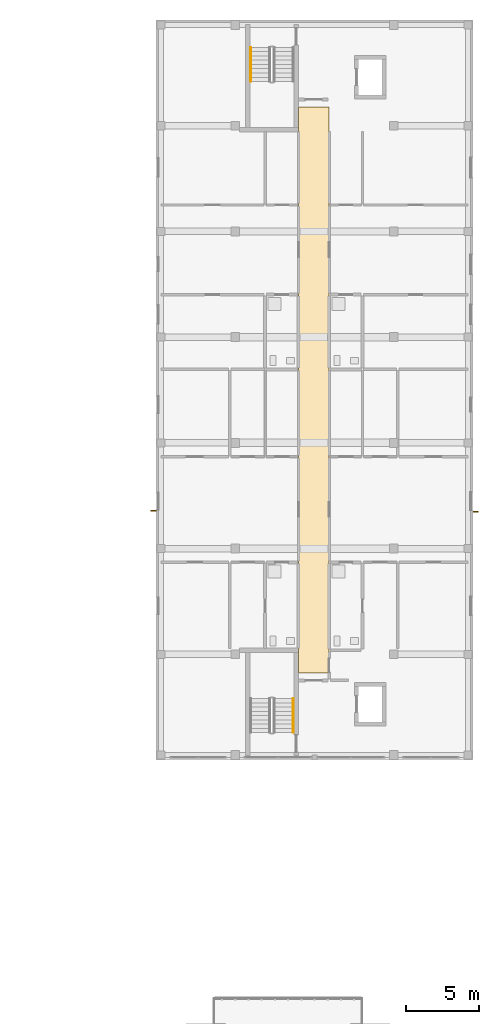
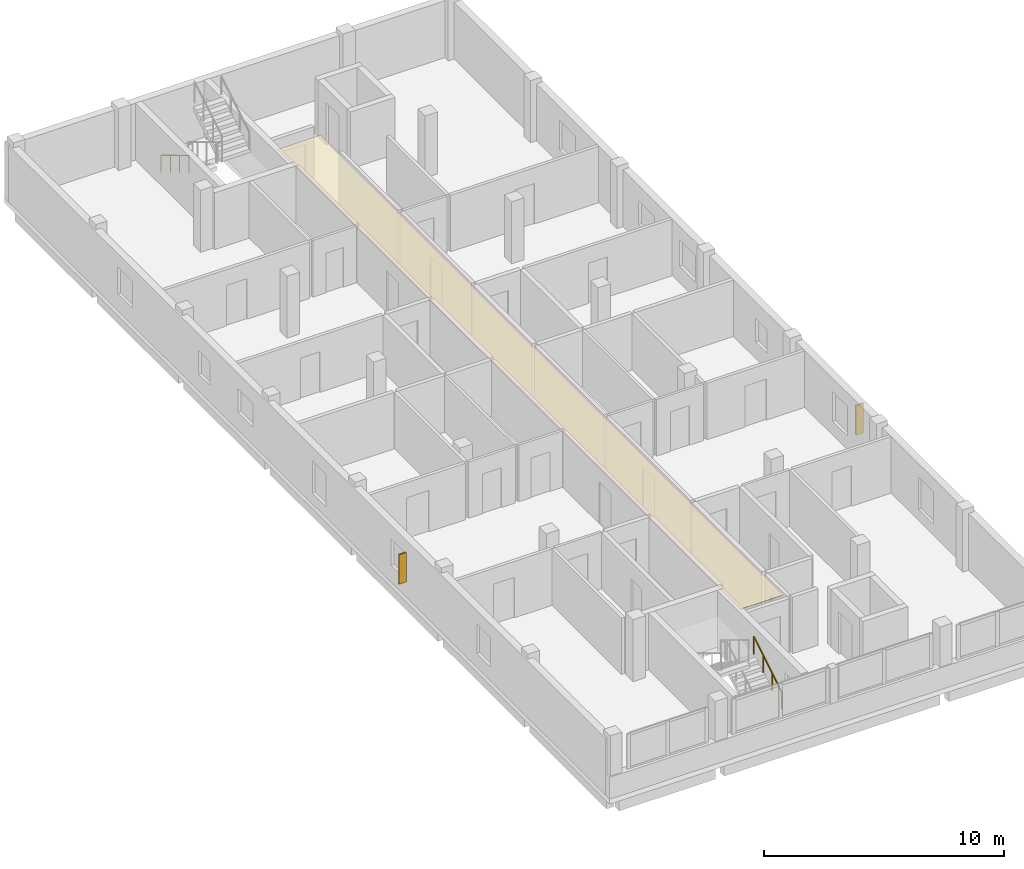
# One storey, part 31 of 34: 2 railings, 2 shading devices, 1 covering.
"""IFC4 building model written with IfcOpenShell, lengths in metres."""

from ifc_helpers import new_model, si_unit, derived_unit, direction, frame, origin, origin_2d, place, context, subcontext, project, spatial, polyline, rectangle, circle, outline, extrude, material, layer, layer_set, type_object, element, save


model = new_model("IFC4")

# Units and contexts
model_context = context("Model", 3, precision=1e-05, world=origin(), true_north=direction((0.0, 1.0)))
body_context = subcontext(model_context, "Body", "Model", "MODEL_VIEW")
ifc_project = project(units=[si_unit("LENGTHUNIT", "METRE"), si_unit("AREAUNIT", "SQUARE_METRE"), si_unit("VOLUMEUNIT", "CUBIC_METRE"), si_unit("PLANEANGLEUNIT", "RADIAN"), si_unit("MASSUNIT", "GRAM", prefix="KILO"), derived_unit("THERMALTRANSMITTANCEUNIT", [(si_unit("MASSUNIT", "GRAM", prefix="KILO"), 1), (si_unit("TIMEUNIT", "SECOND"), -3), (si_unit("THERMODYNAMICTEMPERATUREUNIT", "KELVIN"), -1)])], contexts=[model_context])

# Site, building, storey
site_placement = place(None, origin())
site = spatial("IfcSite", under=ifc_project, at=site_placement, CompositionType="ELEMENT")
building_placement = place(site_placement, origin())
building = spatial("IfcBuilding", under=site, at=building_placement, Name="Ochrekiln Boulevard Commons", CompositionType="ELEMENT")
storey_placement = place(building_placement, frame((0.0, 0.0, 27.824951171875)))
storey = spatial("IfcBuildingStorey", under=building, at=storey_placement, Name="L08", CompositionType="ELEMENT", Elevation=27.824951171875)

# Covering
ifc_material_1 = material(Name="Mineral-fibre acoustic ceiling tile")
ifc_layer = layer(ifc_material_1, 0.02490234375)
ifc_layer_set = layer_set([ifc_layer], Name="Mineral-fibre acoustic ceiling tile")
covering_type = type_object("IfcCoveringType", Name="COV-CEIL-AC", PredefinedType="CEILING", material=ifc_layer_set)
covering_placement = place(storey_placement, frame((0.0, 0.0, 2.650146484375)))
element("IfcCovering", 1, at=covering_placement, inside=storey, type_object=covering_type, Name="L08 Acoustic Corridor Ceiling 60", PredefinedType="CEILING", context=body_context, shape_type="SweptSolid", body=[
    extrude(outline(polyline([(160.919921875, 74.320068359375), (162.97998046875, 74.320068359375), (162.97998046875, 112.8798828125), (160.919921875, 112.8798828125), (160.919921875, 74.320068359375)])), origin(), (0.0, 0.0, 1.0), 0.02490234375),
])

# Railings
ifc_material_2 = material(Name="Brushed stainless steel 316 tubular railing", Category="steel")
railing_type = type_object("IfcRailingType", Name="RLG-HDR-900", PredefinedType="HANDRAIL", material=ifc_material_2)
railing_1_placement = place(storey_placement, frame((160.550048828125, 70.27001953125, 0.175048828125)))
element("IfcRailing", 2, at=railing_1_placement, inside=storey, type_object=railing_type, Name="L08 ST-B1 stair handrail 1", PredefinedType="HANDRAIL", context=body_context, shape_type="SweptSolid", body=[
    extrude(circle(Radius=0.02392578125, at=origin_2d()), frame((0.0, 0.0, 0.8759765625), z_axis=(0.0, 0.85621033714, 0.516627388526), x_axis=(-1.0, 0.0, 0.0)), (0.0, 0.0, 1.0), 2.709716796875),
    extrude(circle(Radius=0.02099609375, at=origin_2d()), origin(), (0.0, 0.0, 1.0), 0.851806640625),
    extrude(circle(Radius=0.02099609375, at=origin_2d()), frame((0.0, 0.7734375, 0.466552734375)), (0.0, 0.0, 1.0), 0.851806640625),
    extrude(circle(Radius=0.02099609375, at=origin_2d()), frame((0.0, 1.546630859375, 0.933349609375)), (0.0, 0.0, 1.0), 0.851806640625),
    extrude(circle(Radius=0.02099609375, at=origin_2d()), frame((0.0, 2.320068359375, 1.39990234375)), (0.0, 0.0, 1.0), 0.851806640625),
])
railing_2_placement = place(storey_placement, frame((157.64990234375, 116.929931640625, 0.175048828125)))
element("IfcRailing", 3, at=railing_2_placement, inside=storey, type_object=railing_type, Name="L08 ST-B2 stair handrail 1", PredefinedType="HANDRAIL", context=body_context, shape_type="SweptSolid", body=[
    extrude(circle(Radius=0.02392578125, at=origin_2d()), frame((0.0, 0.0, 0.8759765625), z_axis=(0.0, -0.856186286599, 0.516667245565), x_axis=(1.0, 0.0, 0.0)), (0.0, 0.0, 1.0), 2.70947265625),
    extrude(circle(Radius=0.02099609375, at=origin_2d()), origin(), (0.0, 0.0, 1.0), 0.851806640625),
    extrude(circle(Radius=0.02099609375, at=origin_2d()), frame((0.0, -0.773193359375, 0.466552734375)), (0.0, 0.0, 1.0), 0.851806640625),
    extrude(circle(Radius=0.02099609375, at=origin_2d()), frame((0.0, -1.546630859375, 0.933349609375)), (0.0, 0.0, 1.0), 0.851806640625),
    extrude(circle(Radius=0.02099609375, at=origin_2d()), frame((0.0, -2.31982421875, 1.39990234375)), (0.0, 0.0, 1.0), 0.851806640625),
])

# Shading devices
ifc_material_3 = material(Name="Glazed architectural terracotta ASTM C1405", Category="masonry")
shading_device_type = type_object("IfcShadingDeviceType", Name="SHD-FIN-TERRA", PredefinedType="JALOUSIE", material=ifc_material_3)
for number, where, z_axis, x_axis, name in (
    (4, (151.030029296875, 85.366943359375, 0.780029296875), (0.0, 0.0, 1.0), (1.0, 0.0, 0.0), "Terracotta Solar Shading Fin SF-01 (42)"),
    (5, (172.969970703125, 85.31689453125, 0.705078125), (0.0, 0.0, 1.0), (1.0, 0.0, 0.0), "Terracotta Solar Shading Fin SF-01 (43)"),
):
    element("IfcShadingDevice", number, at=place(storey_placement, frame(where, z_axis=z_axis, x_axis=x_axis)), inside=storey, type_object=shading_device_type, Name=name, PredefinedType="JALOUSIE", context=body_context, shape_type="SweptSolid", body=[
        extrude(rectangle(XDim=0.35009765625, YDim=0.080078125, at=origin_2d()), origin(), (0.0, 0.0, 1.0), 1.5),
    ])

save(model, "model.ifc")
